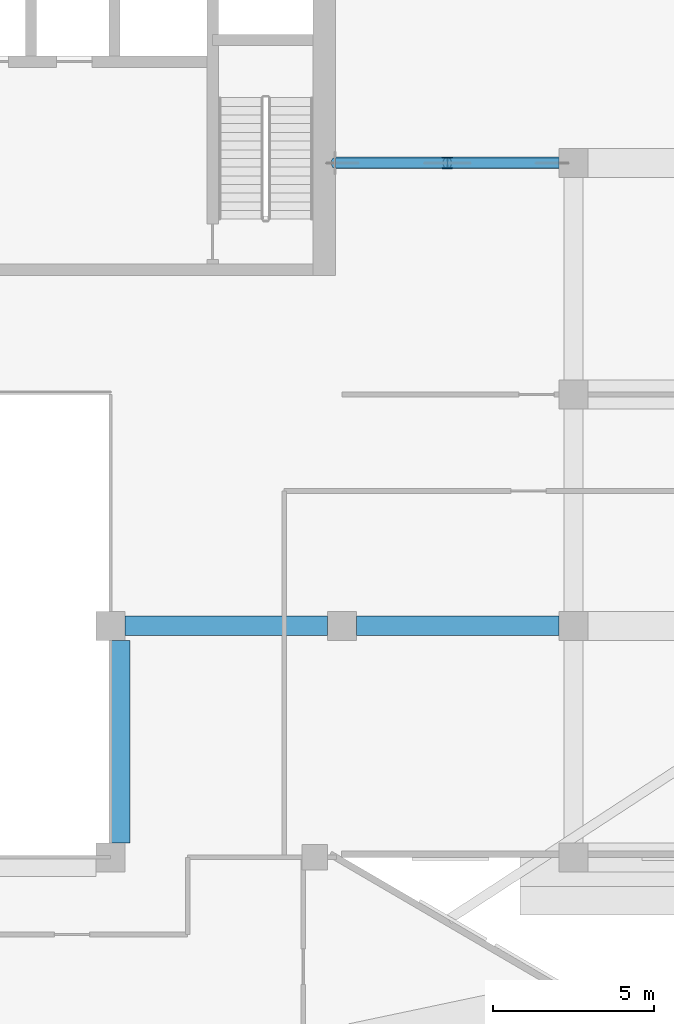
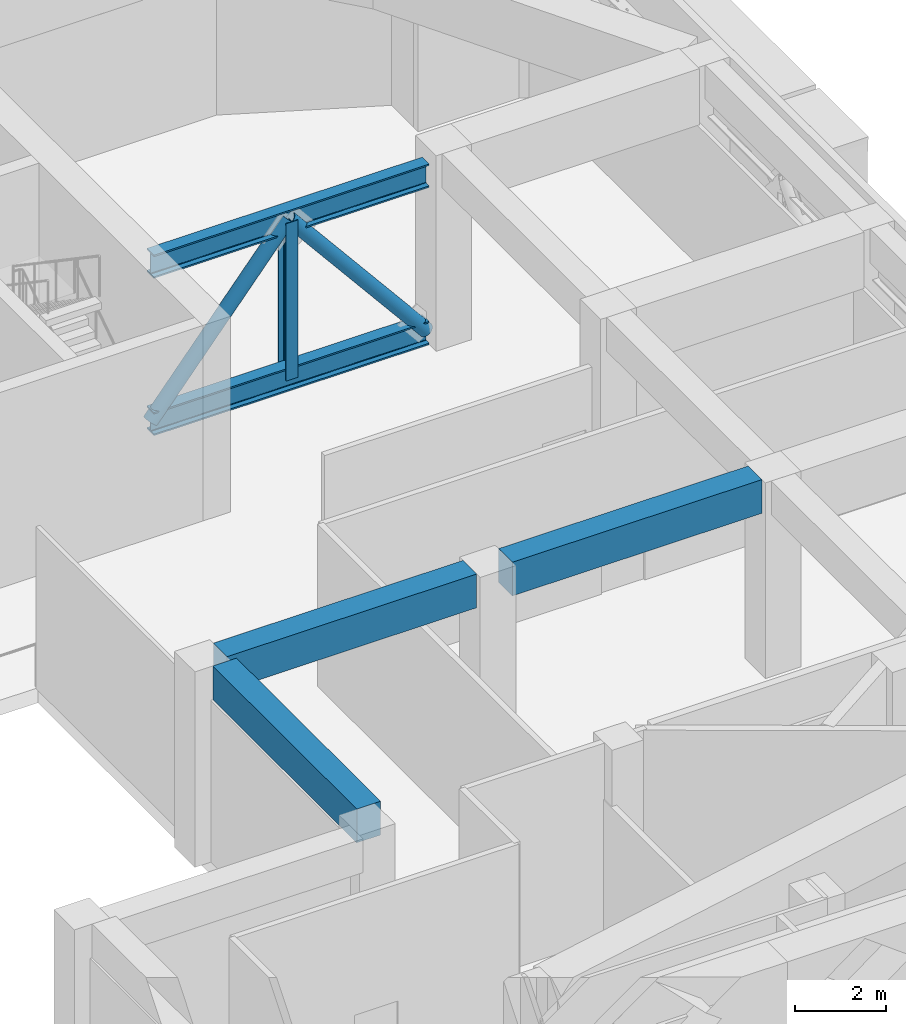
# One storey, part 5 of 20: 5 members, 3 beams.
"""IFC4 building model written with IfcOpenShell, lengths in metres."""

from ifc_helpers import new_model, si_unit, direction, frame, origin, origin_2d, place, context, subcontext, project, spatial, rectangle, hollow_circle, i_section, extrude, source, transform, mapped, material, material_profile, profile_set, type_object, element, save


model = new_model("IFC4")

# Units and contexts
model_context = context("Model", 3, precision=1e-05, world=origin(), true_north=direction((0.0, 1.0)))
body_context = subcontext(model_context, "Body", "Model", "MODEL_VIEW")
ifc_project = project(units=[si_unit("LENGTHUNIT", "METRE"), si_unit("AREAUNIT", "SQUARE_METRE"), si_unit("VOLUMEUNIT", "CUBIC_METRE"), si_unit("PLANEANGLEUNIT", "RADIAN"), si_unit("MASSUNIT", "GRAM", prefix="KILO")], contexts=[model_context])

# Site, building, storey
site_placement = place(None, origin())
site = spatial("IfcSite", under=ifc_project, at=site_placement, CompositionType="ELEMENT")
building_placement = place(site_placement, origin())
building = spatial("IfcBuilding", under=site, at=building_placement, Name="Saffron Iwan Residences", CompositionType="ELEMENT")
storey_placement = place(building_placement, frame((0.0, 0.0, 206.0)))
storey = spatial("IfcBuildingStorey", under=building, at=storey_placement, Name="L55", CompositionType="ELEMENT", Elevation=206.0)

# Beams
ifc_material_1 = material(Name="Concrete C50/60", Category="concrete")
ifc_material_profile_1 = material_profile(ifc_material_1, rectangle(XDim=0.60009765625, YDim=0.89990234375, at=origin_2d()), Name="RC 600x900")
ifc_profile_set_1 = profile_set([ifc_material_profile_1], Name="Concrete C50/60")
beam_type = type_object("IfcBeamType", Name="BEAM RC 600x900 C50/60 TOP 5220", PredefinedType="BEAM", material=ifc_profile_set_1)
shared_shape_1 = source(origin(), body_context, "Body", "SweptSolid", [
    extrude(rectangle(XDim=0.60009765625, YDim=0.89990234375, at=origin_2d()), origin(), (0.0, 0.0, 1.0), 6.300048828125),
])
for number, where, z_axis, x_axis, name in (
    (1, (65.10009765625, 54.75, 4.77001953125), (0.0, -1.0, 0.0), (1.0, 0.0, 0.0), "Atrium edge beam"),
    (2, (65.25, 55.199951171875, 4.77001953125), (1.0, 0.0, 0.0), (0.0, 1.0, 0.0), "Floor beam"),
    (3, (72.449951171875, 55.199951171875, 4.77001953125), (1.0, 0.0, 0.0), (0.0, 1.0, 0.0), "Floor beam"),
):
    element("IfcBeam", number, at=place(storey_placement, frame(where, z_axis=z_axis, x_axis=x_axis)), inside=storey, type_object=beam_type, Name=name, PredefinedType="BEAM", context=body_context, shape_type="MappedRepresentation", body=[
        mapped(shared_shape_1, transform((0.0, 0.0, 0.0))),
    ])

# Members
ifc_material_2 = material(Name="Steel S355", Category="steel")
ifc_material_profile_2 = material_profile(ifc_material_2, i_section(OverallWidth=0.304931640625, OverallDepth=0.6201171875, WebThickness=0.02099609375, FlangeThickness=0.0400390625, FilletRadius=0.027099609375, at=origin_2d()), Name="HE 600 M")
ifc_profile_set_2 = profile_set([ifc_material_profile_2], Name="Steel S355")
member_type_1 = type_object("IfcMemberType", Name="OUTRIGGER TRUSS CHORD HE 600 M S355", PredefinedType="CHORD", material=ifc_profile_set_2)
shared_shape_2 = source(origin(), body_context, "Body", "SweptSolid", [
    extrude(i_section(OverallWidth=0.304931640625, OverallDepth=0.6201171875, WebThickness=0.02099609375, FlangeThickness=0.0400390625, FilletRadius=0.027099609375, at=origin_2d()), origin(), (0.0, 0.0, 1.0), 6.949951171875),
])
for number, where, z_axis, x_axis, name in (
    (4, (71.800048828125, 69.60009765625, 0.31005859375), (1.0, 0.0, 0.0), (0.0, 1.0, 0.0), "Outrigger truss chord L55"),
    (5, (71.800048828125, 69.60009765625, 4.510009765625), (1.0, 0.0, 0.0), (0.0, 1.0, 0.0), "Outrigger truss chord L55"),
):
    element("IfcMember", number, at=place(storey_placement, frame(where, z_axis=z_axis, x_axis=x_axis)), inside=storey, type_object=member_type_1, Name=name, PredefinedType="CHORD", context=body_context, shape_type="MappedRepresentation", body=[
        mapped(shared_shape_2, transform((0.0, 0.0, 0.0))),
    ])
ifc_material_profile_3 = material_profile(ifc_material_2, hollow_circle(Radius=0.177734375, WallThickness=0.01611328125, at=origin_2d()), Name="CHS 355.6x16")
ifc_profile_set_3 = profile_set([ifc_material_profile_3], Name="Steel S355")
member_type_2 = type_object("IfcMemberType", Name="OUTRIGGER TRUSS DIAGONAL CHS 355.6x16 S355", PredefinedType="BRACE", material=ifc_profile_set_3)
shared_shape_3 = source(origin(), body_context, "Body", "SweptSolid", [
    extrude(hollow_circle(Radius=0.177734375, WallThickness=0.01611328125, at=origin_2d()), origin(), (0.0, 0.0, 1.0), 5.451171875),
])
for number, where, z_axis, x_axis, name in (
    (6, (71.800048828125, 69.60009765625, 0.31005859375), (0.637462297525, 0.0, 0.770481550223), (0.0, 1.0, 0.0), "Outrigger truss diagonal L55"),
    (7, (75.27490234375, 69.60009765625, 4.510009765625), (0.637488884195, 0.0, -0.770459552818), (0.0, 1.0, 0.0), "Outrigger truss diagonal L55"),
):
    element("IfcMember", number, at=place(storey_placement, frame(where, z_axis=z_axis, x_axis=x_axis)), inside=storey, type_object=member_type_2, Name=name, PredefinedType="BRACE", context=body_context, shape_type="MappedRepresentation", body=[
        mapped(shared_shape_3, transform((0.0, 0.0, 0.0))),
    ])
ifc_material_profile_4 = material_profile(ifc_material_2, i_section(OverallWidth=0.300048828125, OverallDepth=0.360107421875, WebThickness=0.012451171875, FlangeThickness=0.0224609375, FilletRadius=0.027099609375, at=origin_2d()), Name="HE 360 B")
ifc_profile_set_4 = profile_set([ifc_material_profile_4], Name="Steel S355")
member_type_3 = type_object("IfcMemberType", Name="OUTRIGGER TRUSS POST HE 360 B S355", PredefinedType="POST", material=ifc_profile_set_4)
shared_shape_4 = source(origin(), body_context, "Body", "SweptSolid", [
    extrude(i_section(OverallWidth=0.300048828125, OverallDepth=0.360107421875, WebThickness=0.012451171875, FlangeThickness=0.0224609375, FilletRadius=0.027099609375, at=origin_2d()), origin(), (0.0, 0.0, 1.0), 4.199951171875),
])
member_placement = place(storey_placement, frame((75.27490234375, 69.60009765625, 0.31005859375), z_axis=(0.0, 0.0, 1.0), x_axis=(1.0, 0.0, 0.0)))
element("IfcMember", 8, at=member_placement, inside=storey, type_object=member_type_3, Name="Outrigger truss post L55", PredefinedType="POST", context=body_context, shape_type="MappedRepresentation", body=[
    mapped(shared_shape_4, transform((0.0, 0.0, 0.0))),
])

save(model, "model.ifc")
